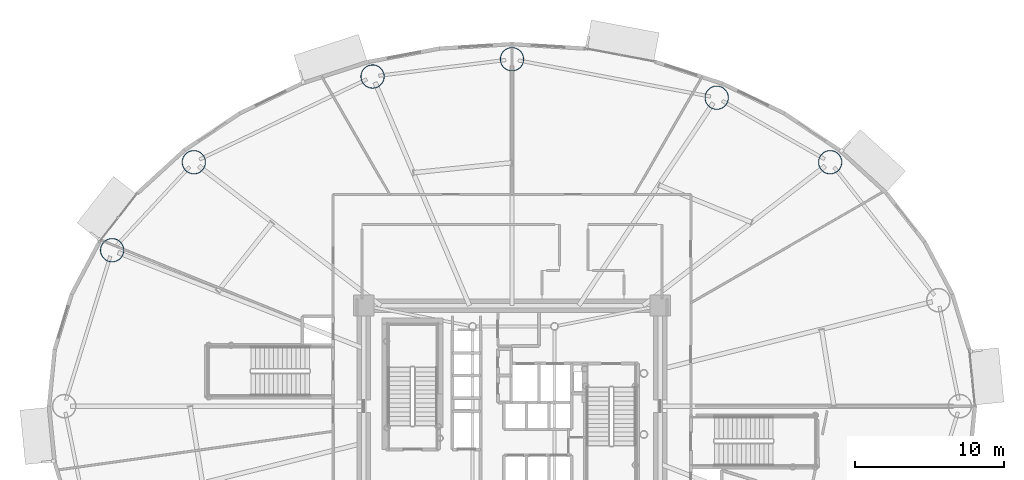
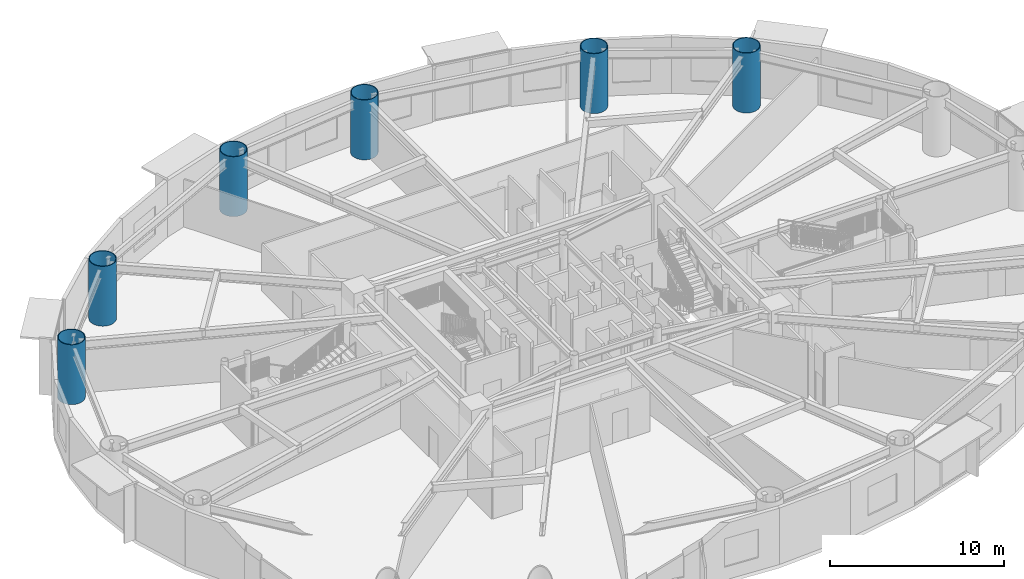
# One storey, part 3 of 35: 6 columns.
"""IFC4 building model written with IfcOpenShell, lengths in metres."""

from ifc_helpers import new_model, si_unit, direction, frame, origin, origin_2d, place, context, subcontext, project, spatial, hollow_circle, extrude, material, material_profile, profile_set, type_object, element, save


model = new_model("IFC4")

# Units and contexts
model_context = context("Model", 3, precision=1e-05, world=origin(), true_north=direction((0.0, 1.0)))
body_context = subcontext(model_context, "Body", "Model", "MODEL_VIEW")
ifc_project = project(units=[si_unit("LENGTHUNIT", "METRE"), si_unit("AREAUNIT", "SQUARE_METRE"), si_unit("VOLUMEUNIT", "CUBIC_METRE"), si_unit("PLANEANGLEUNIT", "RADIAN"), si_unit("MASSUNIT", "GRAM", prefix="KILO")], contexts=[model_context])

# Site, building, storey
site_placement = place(None, origin())
site = spatial("IfcSite", under=ifc_project, at=site_placement, CompositionType="ELEMENT")
building_placement = place(site_placement, origin())
building = spatial("IfcBuilding", under=site, at=building_placement, Name="Linh Dai School and Residence Tower", CompositionType="ELEMENT")
storey_placement = place(building_placement, frame((0.0, 0.0, 49.199951171875)))
storey = spatial("IfcBuildingStorey", under=building, at=storey_placement, Name="L11", CompositionType="ELEMENT", Elevation=49.199951171875)

# Columns
ifc_material = material(Name="Structural Steel S355JR", Category="steel")
ifc_material_profile = material_profile(ifc_material, hollow_circle(Radius=0.800048828125, WallThickness=0.044921875, at=origin_2d()), Name="CHS 1600x45")
ifc_profile_set = profile_set([ifc_material_profile], Name="Structural Steel S355JR")
column_type = type_object("IfcColumnType", Name="COL-MC2", PredefinedType="COLUMN", material=ifc_profile_set)
for number, where, z_axis, x_axis, name in (
    (1, (57.352783203125, 43.369140625, 0.0), (0.0, 0.0, 1.0), (1.0, 0.0, 0.0), "L11 Perimeter CFT Mega-Column MC03"),
    (2, (49.73828125, 47.69921875, 0.0), (0.0, 0.0, 1.0), (1.0, 0.0, 0.0), "L11 Perimeter CFT Mega-Column MC04"),
    (3, (36.0, 50.280029296875, 0.0), (0.0, 0.0, 1.0), (1.0, 0.0, 0.0), "L11 Perimeter CFT Mega-Column MC05"),
    (4, (26.642333984375, 49.119873046875, 0.0), (0.0, 0.0, 1.0), (1.0, 0.0, 0.0), "L11 Perimeter CFT Mega-Column MC06"),
    (5, (14.647216796875, 43.369140625, 0.0), (0.0, 0.0, 1.0), (1.0, 0.0, 0.0), "L11 Perimeter CFT Mega-Column MC07"),
    (6, (9.16455078125, 37.4638671875, 0.0), (0.0, 0.0, 1.0), (1.0, 0.0, 0.0), "L11 Perimeter CFT Mega-Column MC08"),
):
    element("IfcColumn", number, at=place(storey_placement, frame(where, z_axis=z_axis, x_axis=x_axis)), inside=storey, type_object=column_type, Name=name, PredefinedType="COLUMN", context=body_context, shape_type="SweptSolid", body=[
        extrude(hollow_circle(Radius=0.800048828125, WallThickness=0.044921875, at=origin_2d()), origin(), (0.0, 0.0, 1.0), 4.199951171875),
    ])

save(model, "model.ifc")
